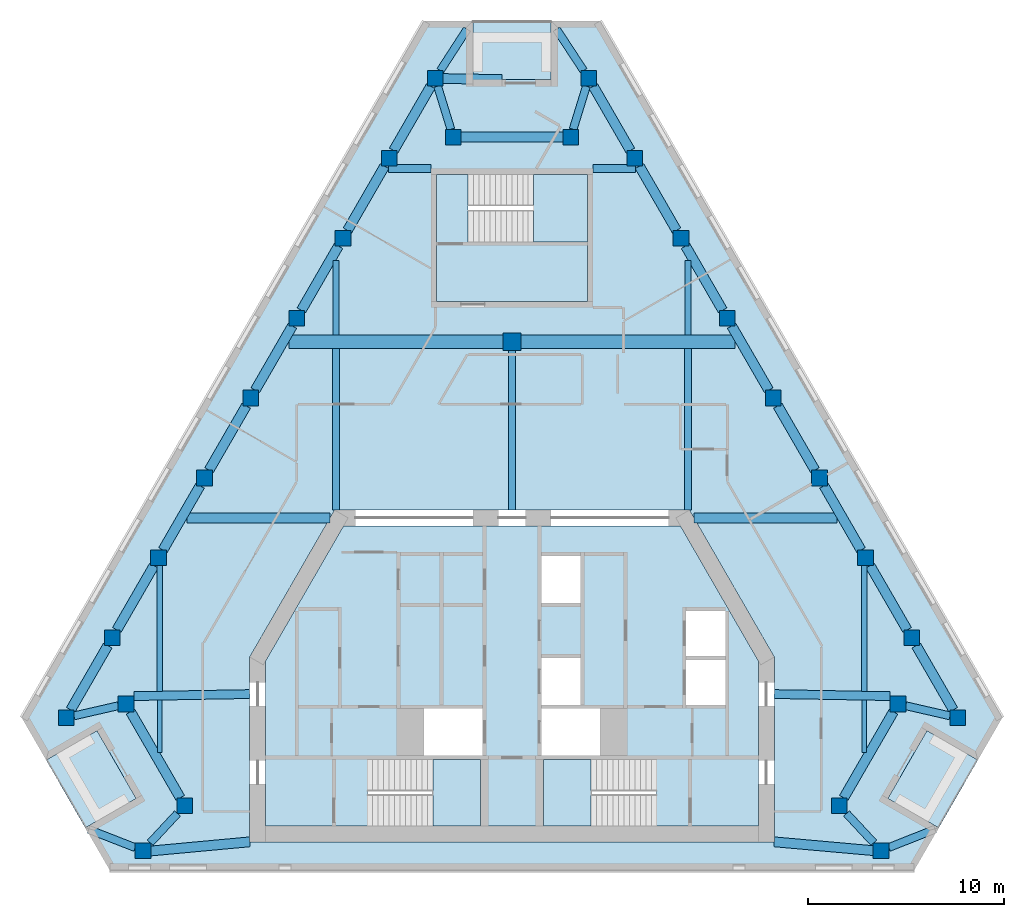
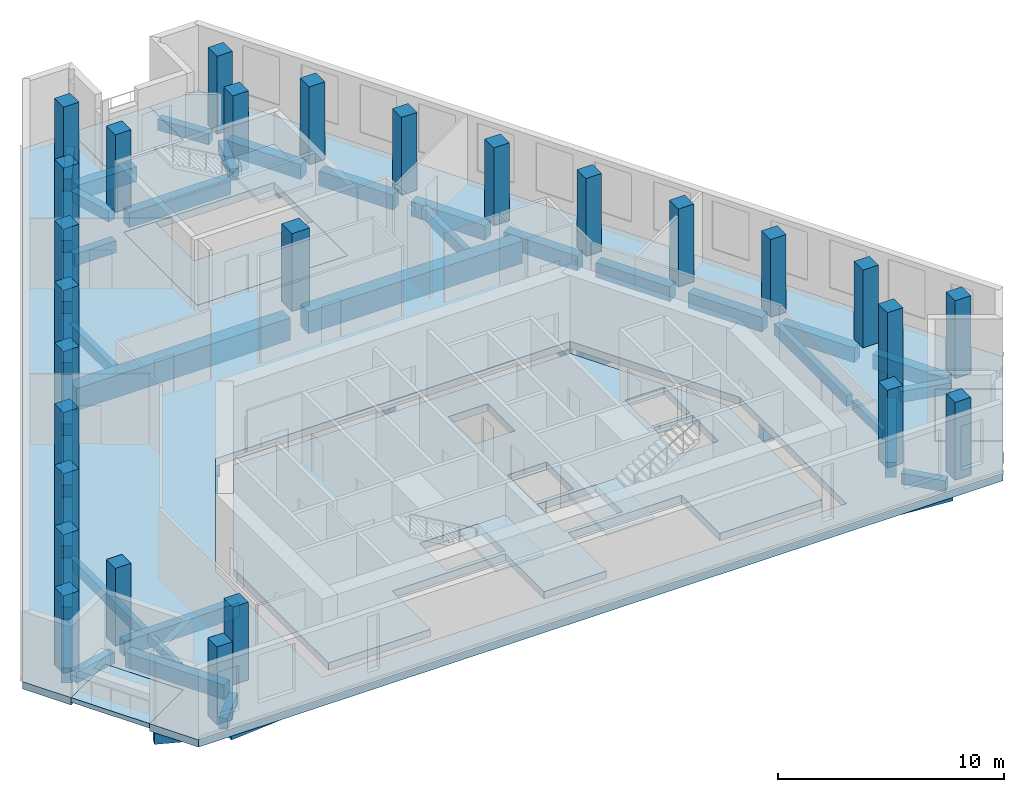
# One storey, part 1 of 8: 49 beams, 27 columns, 9 slabs, 3 elements without a shape of their own.
"""IFC4 building model written with IfcOpenShell, lengths in metres."""

from ifc_helpers import new_model, si_unit, direction, frame, origin, origin_2d, place, context, subcontext, project, spatial, polyline, rectangle, outline, extrude, material, layer, layer_set, material_profile, profile_set, type_object, element, aggregate, save


model = new_model("IFC4")

# Units and contexts
model_context = context("Model", 3, precision=1e-05, world=origin(), true_north=direction((0.0, 1.0)))
body_context = subcontext(model_context, "Body", "Model", "MODEL_VIEW")
ifc_project = project(units=[si_unit("LENGTHUNIT", "METRE"), si_unit("AREAUNIT", "SQUARE_METRE"), si_unit("VOLUMEUNIT", "CUBIC_METRE"), si_unit("PLANEANGLEUNIT", "RADIAN"), si_unit("MASSUNIT", "GRAM", prefix="KILO")], contexts=[model_context])

# Site, building, storey
site_placement = place(None, origin())
site = spatial("IfcSite", under=ifc_project, at=site_placement, CompositionType="ELEMENT")
building_placement = place(site_placement, origin())
building = spatial("IfcBuilding", under=site, at=building_placement, Name="Fogline Exchange Tower", CompositionType="ELEMENT")
storey_placement = place(building_placement, frame((0.0, 0.0, 300.300048828125)))
storey = spatial("IfcBuildingStorey", under=building, at=storey_placement, Name="L68", CompositionType="ELEMENT", Elevation=300.300048828125)

# Columns
ifc_material_1 = material(Name="Concrete C60", Category="concrete")
ifc_material_profile_1 = material_profile(ifc_material_1, rectangle(XDim=0.89990234375, YDim=0.89990234375, at=origin_2d()), Name="RC 900x900")
ifc_profile_set_1 = profile_set([ifc_material_profile_1], Name="Concrete C60")
column_type_1 = type_object("IfcColumnType", Name="C06", PredefinedType="COLUMN", material=ifc_profile_set_1)
column_placement = place(storey_placement, frame((0.0, 27.0, 0.0), z_axis=(0.0, 0.0, 1.0), x_axis=(1.0, 0.0, 0.0)))
element("IfcColumn", 1, at=column_placement, inside=storey, type_object=column_type_1, Name="IC-0-27", PredefinedType="COLUMN", context=body_context, shape_type="SweptSolid", body=[
    extrude(rectangle(XDim=0.89990234375, YDim=0.89990234375, at=origin_2d()), origin(), (0.0, 0.0, 1.0), 4.199951171875),
])
ifc_material_profile_2 = material_profile(ifc_material_1, rectangle(XDim=0.800048828125, YDim=0.800048828125, at=origin_2d()), Name="RC 800x800")
ifc_profile_set_2 = profile_set([ifc_material_profile_2], Name="Concrete C60")
column_type_2 = type_object("IfcColumnType", Name="C07", PredefinedType="COLUMN", material=ifc_profile_set_2)
for number, where, z_axis, x_axis, name in (
    (2, (-22.7802734375, 7.794189453125, 0.0), (0.0, 0.0, 1.0), (1.0, 0.0, 0.0), "SW-a"),
    (3, (-19.720947265625, 8.4951171875, 0.0), (0.0, 0.0, 1.0), (1.0, 0.0, 0.0), "SW-p4"),
    (4, (-16.720947265625, 3.299072265625, 0.0), (0.0, 0.0, 1.0), (1.0, 0.0, 0.0), "SW-p3"),
    (5, (-18.857666015625, 1.0, 0.0), (0.0, 0.0, 1.0), (1.0, 0.0, 0.0), "SW-b"),
    (6, (18.857666015625, 1.0, 0.0), (0.0, 0.0, 1.0), (1.0, 0.0, 0.0), "SE-a"),
    (7, (16.720947265625, 3.299072265625, 0.0), (0.0, 0.0, 1.0), (1.0, 0.0, 0.0), "SE-p4"),
    (8, (19.720947265625, 8.4951171875, 0.0), (0.0, 0.0, 1.0), (1.0, 0.0, 0.0), "SE-p3"),
    (9, (22.7802734375, 7.794189453125, 0.0), (0.0, 0.0, 1.0), (1.0, 0.0, 0.0), "SE-b"),
    (10, (20.423095703125, 11.876953125, 0.0), (0.0, 0.0, 1.0), (1.0, 0.0, 0.0), "E1"),
    (11, (18.06591796875, 15.959716796875, 0.0), (0.0, 0.0, 1.0), (1.0, 0.0, 0.0), "E2"),
    (12, (15.708740234375, 20.04248046875, 0.0), (0.0, 0.0, 1.0), (1.0, 0.0, 0.0), "E3"),
    (13, (13.3515625, 24.12548828125, 0.0), (0.0, 0.0, 1.0), (1.0, 0.0, 0.0), "E4"),
    (14, (10.994384765625, 28.208251953125, 0.0), (0.0, 0.0, 1.0), (1.0, 0.0, 0.0), "E5"),
    (15, (8.63720703125, 32.291015625, 0.0), (0.0, 0.0, 1.0), (1.0, 0.0, 0.0), "E6"),
    (16, (6.27978515625, 36.373779296875, 0.0), (0.0, 0.0, 1.0), (1.0, 0.0, 0.0), "E7"),
    (17, (3.922607421875, 40.456787109375, 0.0), (0.0, 0.0, 1.0), (1.0, 0.0, 0.0), "N-a"),
    (18, (3.0, 37.456787109375, 0.0), (0.0, 0.0, 1.0), (1.0, 0.0, 0.0), "N-p4"),
    (19, (-3.0, 37.456787109375, 0.0), (0.0, 0.0, 1.0), (1.0, 0.0, 0.0), "N-p3"),
    (20, (-3.922607421875, 40.456787109375, 0.0), (0.0, 0.0, 1.0), (1.0, 0.0, 0.0), "N-b"),
    (21, (-6.27978515625, 36.373779296875, 0.0), (0.0, 0.0, 1.0), (1.0, 0.0, 0.0), "W1"),
    (22, (-8.63720703125, 32.291015625, 0.0), (0.0, 0.0, 1.0), (1.0, 0.0, 0.0), "W2"),
    (23, (-10.994384765625, 28.208251953125, 0.0), (0.0, 0.0, 1.0), (1.0, 0.0, 0.0), "W3"),
    (24, (-13.3515625, 24.12548828125, 0.0), (0.0, 0.0, 1.0), (1.0, 0.0, 0.0), "W4"),
    (25, (-15.708740234375, 20.04248046875, 0.0), (0.0, 0.0, 1.0), (1.0, 0.0, 0.0), "W5"),
    (26, (-18.06591796875, 15.959716796875, 0.0), (0.0, 0.0, 1.0), (1.0, 0.0, 0.0), "W6"),
    (27, (-20.423095703125, 11.876953125, 0.0), (0.0, 0.0, 1.0), (1.0, 0.0, 0.0), "W7"),
):
    element("IfcColumn", number, at=place(storey_placement, frame(where, z_axis=z_axis, x_axis=x_axis)), inside=storey, type_object=column_type_2, Name=name, PredefinedType="COLUMN", context=body_context, shape_type="SweptSolid", body=[
        extrude(rectangle(XDim=0.800048828125, YDim=0.800048828125, at=origin_2d()), origin(), (0.0, 0.0, 1.0), 4.199951171875),
    ])

# Beams
ifc_material_2 = material(Name="Concrete C40", Category="concrete")
ifc_material_profile_3 = material_profile(ifc_material_2, rectangle(XDim=0.300048828125, YDim=0.60009765625, at=origin_2d()), Name="RC 300x600")
ifc_profile_set_3 = profile_set([ifc_material_profile_3], Name="Concrete C40")
beam_type_1 = type_object("IfcBeamType", Name="B06", PredefinedType="BEAM", material=ifc_profile_set_3)
beam_1_placement = place(storey_placement, frame((-18.0, 9.1435546875, -0.699951171875), z_axis=(0.0, 1.0, 0.0), x_axis=(-1.0, 0.0, 0.0)))
element("IfcBeam", 28, at=beam_1_placement, inside=storey, type_object=beam_type_1, Name="SB002", PredefinedType="BEAM", context=body_context, shape_type="SweptSolid", body=[
    extrude(rectangle(XDim=0.300048828125, YDim=0.60009765625, at=origin_2d()), origin(), (0.0, 0.0, 1.0), 6.416259765625),
])
for number, where, z_axis, x_axis, name in (
    (29, (-9.0, 27.35009765625, -0.699951171875), (0.0, 1.0, 0.0), (-1.0, 0.0, 0.0), "SB004"),
    (30, (9.0, 27.35009765625, -0.699951171875), (0.0, 1.0, 0.0), (-1.0, 0.0, 0.0), "SB007"),
):
    element("IfcBeam", number, at=place(storey_placement, frame(where, z_axis=z_axis, x_axis=x_axis)), inside=storey, type_object=beam_type_1, Name=name, PredefinedType="BEAM", context=body_context, shape_type="SweptSolid", body=[
        extrude(rectangle(XDim=0.300048828125, YDim=0.60009765625, at=origin_2d()), origin(), (0.0, 0.0, 1.0), 3.812255859375),
    ])
beam_2_placement = place(storey_placement, frame((18.0, 9.1435546875, -0.699951171875), z_axis=(0.0, 1.0, 0.0), x_axis=(-1.0, 0.0, 0.0)))
element("IfcBeam", 31, at=beam_2_placement, inside=storey, type_object=beam_type_1, Name="SB009", PredefinedType="BEAM", context=body_context, shape_type="SweptSolid", body=[
    extrude(rectangle(XDim=0.300048828125, YDim=0.60009765625, at=origin_2d()), origin(), (0.0, 0.0, 1.0), 6.416259765625),
])
ifc_material_profile_4 = material_profile(ifc_material_2, rectangle(XDim=0.25, YDim=0.5, at=origin_2d()), Name="RC 250x500")
ifc_profile_set_4 = profile_set([ifc_material_profile_4], Name="Concrete C40")
beam_type_2 = type_object("IfcBeamType", Name="B08", PredefinedType="BEAM", material=ifc_profile_set_4)
for number, where, z_axis, x_axis, name in (
    (32, (-18.0, 6.014404296875, -0.650146484375), (0.0, 1.0, 0.0), (-1.0, 0.0, 0.0), "SB001"),
    (33, (18.0, 6.014404296875, -0.650146484375), (0.0, 1.0, 0.0), (-1.0, 0.0, 0.0), "SB008"),
):
    element("IfcBeam", number, at=place(storey_placement, frame(where, z_axis=z_axis, x_axis=x_axis)), inside=storey, type_object=beam_type_2, Name=name, PredefinedType="BEAM", context=body_context, shape_type="SweptSolid", body=[
        extrude(rectangle(XDim=0.25, YDim=0.5, at=origin_2d()), origin(), (0.0, 0.0, 1.0), 2.67919921875),
    ])
ifc_material_profile_5 = material_profile(ifc_material_2, rectangle(XDim=0.5, YDim=0.800048828125, at=origin_2d()), Name="RC 500x800")
ifc_profile_set_5 = profile_set([ifc_material_profile_5], Name="Concrete C40")
beam_type_3 = type_object("IfcBeamType", Name="B10", PredefinedType="BEAM", material=ifc_profile_set_5)
beam_3_placement = place(storey_placement, frame((-19.489990234375, 8.09521484375, -0.800048828125), z_axis=(0.499987508774, -0.866032615477, 0.0), x_axis=(0.866032615477, 0.499987508774, 0.0)))
element("IfcBeam", 34, at=beam_3_placement, inside=storey, type_object=beam_type_3, Name="RB002", PredefinedType="BEAM", context=body_context, shape_type="SweptSolid", body=[
    extrude(rectangle(XDim=0.5, YDim=0.800048828125, at=origin_2d()), origin(), (0.0, 0.0, 1.0), 5.076416015625),
])
beam_4_placement = place(storey_placement, frame((-18.457763671875, 0.981689453125, -0.800048828125), z_axis=(0.995741736268, 0.092186737952, 0.0), x_axis=(-0.092186737952, 0.995741736268, 0.0)))
element("IfcBeam", 35, at=beam_4_placement, inside=storey, type_object=beam_type_3, Name="RB004", PredefinedType="BEAM", context=body_context, shape_type="SweptSolid", body=[
    extrude(rectangle(XDim=0.5, YDim=0.800048828125, at=origin_2d()), origin(), (0.0, 0.0, 1.0), 5.07958984375),
])
beam_5_placement = place(storey_placement, frame((13.39990234375, 1.449951171875, -0.800048828125), z_axis=(0.996066324908, -0.088610814153, 0.0), x_axis=(0.088610814153, 0.996066324908, 0.0)))
element("IfcBeam", 36, at=beam_5_placement, inside=storey, type_object=beam_type_3, Name="RB005", PredefinedType="BEAM", context=body_context, shape_type="SweptSolid", body=[
    extrude(rectangle(XDim=0.5, YDim=0.800048828125, at=origin_2d()), origin(), (0.0, 0.0, 1.0), 5.077880859375),
])
beam_6_placement = place(storey_placement, frame((16.951904296875, 3.698974609375, -0.800048828125), z_axis=(0.499987508774, 0.866032615477, 0.0), x_axis=(-0.866032615477, 0.499987508774, 0.0)))
element("IfcBeam", 37, at=beam_6_placement, inside=storey, type_object=beam_type_3, Name="RB007", PredefinedType="BEAM", context=body_context, shape_type="SweptSolid", body=[
    extrude(rectangle(XDim=0.5, YDim=0.800048828125, at=origin_2d()), origin(), (0.0, 0.0, 1.0), 5.076416015625),
])
beam_7_placement = place(storey_placement, frame((22.54931640625, 8.194091796875, -0.800048828125), z_axis=(-0.499969613651, 0.86604294664, 0.0), x_axis=(-0.86604294664, -0.499969613651, 0.0)))
element("IfcBeam", 38, at=beam_7_placement, inside=storey, type_object=beam_type_3, Name="RB009", PredefinedType="BEAM", context=body_context, shape_type="SweptSolid", body=[
    extrude(rectangle(XDim=0.5, YDim=0.800048828125, at=origin_2d()), origin(), (0.0, 0.0, 1.0), 3.790771484375),
])
for number, where, z_axis, x_axis, name in (
    (39, (20.192138671875, 12.277099609375, -0.800048828125), (-0.499997501644, 0.866026846206, 0.0), (-0.866026846206, -0.499997501644, 0.0), "RB010"),
    (40, (17.8349609375, 16.35986328125, -0.800048828125), (-0.499997501644, 0.866026846206, 0.0), (-0.866026846206, -0.499997501644, 0.0), "RB011"),
    (41, (15.477783203125, 20.442626953125, -0.800048828125), (-0.499997501644, 0.866026846206, 0.0), (-0.866026846206, -0.499997501644, 0.0), "RB012"),
):
    element("IfcBeam", number, at=place(storey_placement, frame(where, z_axis=z_axis, x_axis=x_axis)), inside=storey, type_object=beam_type_3, Name=name, PredefinedType="BEAM", context=body_context, shape_type="SweptSolid", body=[
        extrude(rectangle(XDim=0.5, YDim=0.800048828125, at=origin_2d()), origin(), (0.0, 0.0, 1.0), 3.79052734375),
    ])
for number, where, z_axis, x_axis, name in (
    (42, (13.12060546875, 24.525390625, -0.800048828125), (-0.500045805297, 0.865998956469, 0.0), (-0.865998956469, -0.500045805297, 0.0), "RB013"),
    (43, (10.76318359375, 28.608154296875, -0.800048828125), (-0.499969613651, 0.86604294664, 0.0), (-0.86604294664, -0.499969613651, 0.0), "RB014"),
    (44, (8.406005859375, 32.69091796875, -0.800048828125), (-0.499969613651, 0.86604294664, 0.0), (-0.86604294664, -0.499969613651, 0.0), "RB015"),
    (45, (6.048828125, 36.773681640625, -0.800048828125), (-0.499969613651, 0.86604294664, 0.0), (-0.86604294664, -0.499969613651, 0.0), "RB016"),
):
    element("IfcBeam", number, at=place(storey_placement, frame(where, z_axis=z_axis, x_axis=x_axis)), inside=storey, type_object=beam_type_3, Name=name, PredefinedType="BEAM", context=body_context, shape_type="SweptSolid", body=[
        extrude(rectangle(XDim=0.5, YDim=0.800048828125, at=origin_2d()), origin(), (0.0, 0.0, 1.0), 3.790771484375),
    ])
beam_8_placement = place(storey_placement, frame((2.60009765625, 37.456787109375, -0.800048828125), z_axis=(-1.0, 0.0, 0.0), x_axis=(0.0, -1.0, 0.0)))
element("IfcBeam", 46, at=beam_8_placement, inside=storey, type_object=beam_type_3, Name="RB018", PredefinedType="BEAM", context=body_context, shape_type="SweptSolid", body=[
    extrude(rectangle(XDim=0.5, YDim=0.800048828125, at=origin_2d()), origin(), (0.0, 0.0, 1.0), 5.2001953125),
])
for number, where, z_axis, x_axis, name in (
    (47, (-4.153564453125, 40.056640625, -0.800048828125), (-0.499969613651, -0.86604294664, 0.0), (0.86604294664, -0.499969613651, 0.0), "RB020"),
    (48, (-6.5107421875, 35.973876953125, -0.800048828125), (-0.499969613651, -0.86604294664, 0.0), (0.86604294664, -0.499969613651, 0.0), "RB021"),
    (49, (-8.867919921875, 31.89111328125, -0.800048828125), (-0.499969613651, -0.86604294664, 0.0), (0.86604294664, -0.499969613651, 0.0), "RB022"),
    (50, (-11.22509765625, 27.80810546875, -0.800048828125), (-0.500045805297, -0.865998956469, 0.0), (0.865998956469, -0.500045805297, 0.0), "RB023"),
):
    element("IfcBeam", number, at=place(storey_placement, frame(where, z_axis=z_axis, x_axis=x_axis)), inside=storey, type_object=beam_type_3, Name=name, PredefinedType="BEAM", context=body_context, shape_type="SweptSolid", body=[
        extrude(rectangle(XDim=0.5, YDim=0.800048828125, at=origin_2d()), origin(), (0.0, 0.0, 1.0), 3.790771484375),
    ])
for number, where, z_axis, x_axis, name in (
    (51, (-13.58251953125, 23.725341796875, -0.800048828125), (-0.499997501644, -0.866026846206, 0.0), (0.866026846206, -0.499997501644, 0.0), "RB024"),
    (52, (-15.939697265625, 19.642578125, -0.800048828125), (-0.499997501644, -0.866026846206, 0.0), (0.866026846206, -0.499997501644, 0.0), "RB025"),
    (53, (-18.296875, 15.559814453125, -0.800048828125), (-0.499997501644, -0.866026846206, 0.0), (0.866026846206, -0.499997501644, 0.0), "RB026"),
):
    element("IfcBeam", number, at=place(storey_placement, frame(where, z_axis=z_axis, x_axis=x_axis)), inside=storey, type_object=beam_type_3, Name=name, PredefinedType="BEAM", context=body_context, shape_type="SweptSolid", body=[
        extrude(rectangle(XDim=0.5, YDim=0.800048828125, at=origin_2d()), origin(), (0.0, 0.0, 1.0), 3.79052734375),
    ])
beam_9_placement = place(storey_placement, frame((-20.654052734375, 11.47705078125, -0.800048828125), z_axis=(-0.499969613651, -0.86604294664, 0.0), x_axis=(0.86604294664, -0.499969613651, 0.0)))
element("IfcBeam", 54, at=beam_9_placement, inside=storey, type_object=beam_type_3, Name="RB027", PredefinedType="BEAM", context=body_context, shape_type="SweptSolid", body=[
    extrude(rectangle(XDim=0.5, YDim=0.800048828125, at=origin_2d()), origin(), (0.0, 0.0, 1.0), 3.790771484375),
])
beam_10_placement = place(storey_placement, frame((-3.522705078125, 40.449951171875, -0.800048828125), z_axis=(0.999861680238, -0.016631908832, 0.0), x_axis=(0.016631908832, 0.999861680238, 0.0)))
element("IfcBeam", 55, at=beam_10_placement, inside=storey, type_object=beam_type_3, Name="SP032", PredefinedType="BEAM", context=body_context, shape_type="SweptSolid", body=[
    extrude(rectangle(XDim=0.5, YDim=0.800048828125, at=origin_2d()), origin(), (0.0, 0.0, 1.0), 3.00927734375),
])
ifc_material_profile_6 = material_profile(ifc_material_2, rectangle(XDim=0.39990234375, YDim=0.60009765625, at=origin_2d()), Name="RC 400x600")
ifc_profile_set_6 = profile_set([ifc_material_profile_6], Name="Concrete C40")
beam_type_4 = type_object("IfcBeamType", Name="B11", PredefinedType="BEAM", material=ifc_profile_set_6)
beam_11_placement = place(storey_placement, frame((-22.38037109375, 7.885986328125, -0.699951171875), z_axis=(0.974753812703, 0.223282342834, 0.0), x_axis=(-0.223282342834, 0.974753812703, 0.0)))
element("IfcBeam", 56, at=beam_11_placement, inside=storey, type_object=beam_type_4, Name="RB001", PredefinedType="BEAM", context=body_context, shape_type="SweptSolid", body=[
    extrude(rectangle(XDim=0.39990234375, YDim=0.60009765625, at=origin_2d()), origin(), (0.0, 0.0, 1.0), 2.318115234375),
])
for number, where, z_axis, x_axis, name in (
    (57, (-17.0927734375, 2.89892578125, -0.699951171875), (-0.680743909802, -0.732521487239, 0.0), (0.732521487239, -0.680743909802, 0.0), "RB003"),
    (58, (18.48583984375, 1.39990234375, -0.699951171875), (-0.680743909802, 0.732521487239, 0.0), (-0.732521487239, -0.680743909802, 0.0), "RB006"),
):
    element("IfcBeam", number, at=place(storey_placement, frame(where, z_axis=z_axis, x_axis=x_axis)), inside=storey, type_object=beam_type_4, Name=name, PredefinedType="BEAM", context=body_context, shape_type="SweptSolid", body=[
        extrude(rectangle(XDim=0.39990234375, YDim=0.60009765625, at=origin_2d()), origin(), (0.0, 0.0, 1.0), 2.04638671875),
    ])
beam_12_placement = place(storey_placement, frame((20.120849609375, 8.403564453125, -0.699951171875), z_axis=(0.974753812703, -0.223282342834, 0.0), x_axis=(0.223282342834, 0.974753812703, 0.0)))
element("IfcBeam", 59, at=beam_12_placement, inside=storey, type_object=beam_type_4, Name="RB008", PredefinedType="BEAM", context=body_context, shape_type="SweptSolid", body=[
    extrude(rectangle(XDim=0.39990234375, YDim=0.60009765625, at=origin_2d()), origin(), (0.0, 0.0, 1.0), 2.318115234375),
])
for number, where, z_axis, x_axis, name in (
    (60, (3.799560546875, 40.056640625, -0.699951171875), (-0.293929314998, -0.955827158949, 0.0), (0.955827158949, -0.293929314998, 0.0), "RB017"),
    (61, (-3.123046875, 37.856689453125, -0.699951171875), (-0.293929314998, 0.955827158949, 0.0), (-0.955827158949, -0.293929314998, 0.0), "RB019"),
):
    element("IfcBeam", number, at=place(storey_placement, frame(where, z_axis=z_axis, x_axis=x_axis)), inside=storey, type_object=beam_type_4, Name=name, PredefinedType="BEAM", context=body_context, shape_type="SweptSolid", body=[
        extrude(rectangle(XDim=0.39990234375, YDim=0.60009765625, at=origin_2d()), origin(), (0.0, 0.0, 1.0), 2.301513671875),
    ])
beam_13_placement = place(storey_placement, frame((3.66015625, 40.856689453125, -0.699951171875), z_axis=(-0.548529780457, 0.836131018413, 0.0), x_axis=(-0.836131018413, -0.548529780457, 0.0)))
element("IfcBeam", 62, at=beam_13_placement, inside=storey, type_object=beam_type_4, Name="SP028", PredefinedType="BEAM", context=body_context, shape_type="SweptSolid", body=[
    extrude(rectangle(XDim=0.39990234375, YDim=0.60009765625, at=origin_2d()), origin(), (0.0, 0.0, 1.0), 2.5263671875),
])
beam_14_placement = place(storey_placement, frame((-3.663818359375, 40.856689453125, -0.699951171875), z_axis=(0.543311543081, 0.839531159133, 0.0), x_axis=(-0.839531159133, 0.543311543081, 0.0)))
element("IfcBeam", 63, at=beam_14_placement, inside=storey, type_object=beam_type_4, Name="SP029", PredefinedType="BEAM", context=body_context, shape_type="SweptSolid", body=[
    extrude(rectangle(XDim=0.39990234375, YDim=0.60009765625, at=origin_2d()), origin(), (0.0, 0.0, 1.0), 2.51953125),
])
beam_15_placement = place(storey_placement, frame((19.2578125, 1.15869140625, -0.699951171875), z_axis=(0.929422622567, 0.369017057412, 0.0), x_axis=(-0.369017057412, 0.929422622567, 0.0)))
element("IfcBeam", 64, at=beam_15_placement, inside=storey, type_object=beam_type_4, Name="SP030", PredefinedType="BEAM", context=body_context, shape_type="SweptSolid", body=[
    extrude(rectangle(XDim=0.39990234375, YDim=0.60009765625, at=origin_2d()), origin(), (0.0, 0.0, 1.0), 2.537109375),
])
beam_16_placement = place(storey_placement, frame((-19.2578125, 1.156005859375, -0.699951171875), z_axis=(-0.931526239158, 0.363674120279, 0.0), x_axis=(-0.363674120279, -0.931526239158, 0.0)))
element("IfcBeam", 65, at=beam_16_placement, inside=storey, type_object=beam_type_4, Name="SP031", PredefinedType="BEAM", context=body_context, shape_type="SweptSolid", body=[
    extrude(rectangle(XDim=0.39990234375, YDim=0.60009765625, at=origin_2d()), origin(), (0.0, 0.0, 1.0), 2.5517578125),
])
ifc_material_profile_7 = material_profile(ifc_material_2, rectangle(XDim=0.39990234375, YDim=0.64990234375, at=origin_2d()), Name="RC 400x650")
ifc_profile_set_7 = profile_set([ifc_material_profile_7], Name="Concrete C40")
beam_type_5 = type_object("IfcBeamType", Name="B13", PredefinedType="BEAM", material=ifc_profile_set_7)
for number, where, z_axis, x_axis, name in (
    (66, (-6.308349609375, 35.85693359375, -0.72509765625), (1.0, 0.0, 0.0), (0.0, 1.0, 0.0), "GB007"),
    (67, (4.14990234375, 35.85693359375, -0.72509765625), (1.0, 0.0, 0.0), (0.0, 1.0, 0.0), "GB008"),
):
    element("IfcBeam", number, at=place(storey_placement, frame(where, z_axis=z_axis, x_axis=x_axis)), inside=storey, type_object=beam_type_5, Name=name, PredefinedType="BEAM", context=body_context, shape_type="SweptSolid", body=[
        extrude(rectangle(XDim=0.39990234375, YDim=0.64990234375, at=origin_2d()), origin(), (0.0, 0.0, 1.0), 2.158447265625),
    ])
ifc_material_profile_8 = material_profile(ifc_material_2, rectangle(XDim=0.5, YDim=0.949951171875, at=origin_2d()), Name="RC 500x950")
ifc_profile_set_8 = profile_set([ifc_material_profile_8], Name="Concrete C40")
beam_type_6 = type_object("IfcBeamType", Name="B14", PredefinedType="BEAM", material=ifc_profile_set_8)
for number, where, z_axis, x_axis, name in (
    (68, (-16.599365234375, 18.0, -0.875), (1.0, 0.0, 0.0), (0.0, 1.0, 0.0), "GB003"),
    (69, (9.296142578125, 18.0, -0.875), (1.0, 0.0, 0.0), (0.0, 1.0, 0.0), "GB004"),
):
    element("IfcBeam", number, at=place(storey_placement, frame(where, z_axis=z_axis, x_axis=x_axis)), inside=storey, type_object=beam_type_6, Name=name, PredefinedType="BEAM", context=body_context, shape_type="SweptSolid", body=[
        extrude(rectangle(XDim=0.5, YDim=0.949951171875, at=origin_2d()), origin(), (0.0, 0.0, 1.0), 7.30322265625),
    ])
ifc_material_profile_9 = material_profile(ifc_material_2, rectangle(XDim=0.35009765625, YDim=0.64990234375, at=origin_2d()), Name="RC 350x650")
ifc_profile_set_9 = profile_set([ifc_material_profile_9], Name="Concrete C40")
beam_type_7 = type_object("IfcBeamType", Name="B16", PredefinedType="BEAM", material=ifc_profile_set_9)
beam_17_placement = place(storey_placement, frame((-9.0, 18.39990234375, -0.72509765625), z_axis=(0.0, 1.0, 0.0), x_axis=(-1.0, 0.0, 0.0)))
element("IfcBeam", 70, at=beam_17_placement, inside=storey, type_object=beam_type_7, Name="SB003", PredefinedType="BEAM", context=body_context, shape_type="SweptSolid", body=[
    extrude(rectangle(XDim=0.35009765625, YDim=0.64990234375, at=origin_2d()), origin(), (0.0, 0.0, 1.0), 8.25),
])
beam_18_placement = place(storey_placement, frame((0.0, 18.39990234375, -0.72509765625), z_axis=(0.0, 1.0, 0.0), x_axis=(-1.0, 0.0, 0.0)))
element("IfcBeam", 71, at=beam_18_placement, inside=storey, type_object=beam_type_7, Name="SB005", PredefinedType="BEAM", context=body_context, shape_type="SweptSolid", body=[
    extrude(rectangle(XDim=0.35009765625, YDim=0.64990234375, at=origin_2d()), origin(), (0.0, 0.0, 1.0), 8.150146484375),
])
beam_19_placement = place(storey_placement, frame((9.0, 18.39990234375, -0.72509765625), z_axis=(0.0, 1.0, 0.0), x_axis=(-1.0, 0.0, 0.0)))
element("IfcBeam", 72, at=beam_19_placement, inside=storey, type_object=beam_type_7, Name="SB006", PredefinedType="BEAM", context=body_context, shape_type="SweptSolid", body=[
    extrude(rectangle(XDim=0.35009765625, YDim=0.64990234375, at=origin_2d()), origin(), (0.0, 0.0, 1.0), 8.25),
])
ifc_material_profile_10 = material_profile(ifc_material_2, rectangle(XDim=0.699951171875, YDim=1.199951171875, at=origin_2d()), Name="RC 700x1200")
ifc_profile_set_10 = profile_set([ifc_material_profile_10], Name="Concrete C40")
beam_type_8 = type_object("IfcBeamType", Name="B17", PredefinedType="BEAM", material=ifc_profile_set_10)
for number, where, z_axis, x_axis, name in (
    (73, (-11.4033203125, 27.0, -1.0), (1.0, 0.0, 0.0), (0.0, 1.0, 0.0), "GB005"),
    (74, (0.449951171875, 27.0, -1.0), (1.0, 0.0, 0.0), (0.0, 1.0, 0.0), "GB006"),
):
    element("IfcBeam", number, at=place(storey_placement, frame(where, z_axis=z_axis, x_axis=x_axis)), inside=storey, type_object=beam_type_8, Name=name, PredefinedType="BEAM", context=body_context, shape_type="SweptSolid", body=[
        extrude(rectangle(XDim=0.699951171875, YDim=1.199951171875, at=origin_2d()), origin(), (0.0, 0.0, 1.0), 10.953369140625),
    ])
ifc_material_profile_11 = material_profile(ifc_material_2, rectangle(XDim=0.449951171875, YDim=0.800048828125, at=origin_2d()), Name="RC 450x800")
ifc_profile_set_11 = profile_set([ifc_material_profile_11], Name="Concrete C40")
beam_type_9 = type_object("IfcBeamType", Name="B18", PredefinedType="BEAM", material=ifc_profile_set_11)
for number, where, z_axis, x_axis, name in (
    (75, (-19.32080078125, 8.895263671875, -0.800048828125), (0.9998435817, 0.017686495817, 0.0), (-0.017686495817, 0.9998435817, 0.0), "GB001"),
    (76, (13.39990234375, 9.0, -0.800048828125), (0.9998435817, -0.017686495817, 0.0), (0.017686495817, 0.9998435817, 0.0), "GB002"),
):
    element("IfcBeam", number, at=place(storey_placement, frame(where, z_axis=z_axis, x_axis=x_axis)), inside=storey, type_object=beam_type_9, Name=name, PredefinedType="BEAM", context=body_context, shape_type="SweptSolid", body=[
        extrude(rectangle(XDim=0.449951171875, YDim=0.800048828125, at=origin_2d()), origin(), (0.0, 0.0, 1.0), 5.921875),
    ])

# Slabs
ifc_layer_1 = layer(ifc_material_2, 0.25)
ifc_layer_set_1 = layer_set([ifc_layer_1], Name="DK1")
slab_type_1 = type_object("IfcSlabType", Name="DK1", PredefinedType="FLOOR", material=ifc_layer_set_1)
slab_1_placement = place(storey_placement, frame((0.0, 0.0, -0.25)))
element("IfcSlab", 77, at=slab_1_placement, inside=storey, type_object=slab_type_1, Name="Balcony L68 SW", PredefinedType="FLOOR", context=body_context, shape_type="SweptSolid", body=[
    extrude(outline(polyline([(-23.80224609375, 5.629150390625), (-21.80224609375, 2.1650390625), (-19.2041015625, 3.6650390625), (-21.2041015625, 7.129150390625), (-23.80224609375, 5.629150390625)])), origin(), (0.0, 0.0, 1.0), 0.25),
])
slab_2_placement = place(storey_placement, frame((0.0, 0.0, -0.25)))
element("IfcSlab", 78, at=slab_2_placement, inside=storey, type_object=slab_type_1, Name="Balcony L68 SE", PredefinedType="FLOOR", context=body_context, shape_type="SweptSolid", body=[
    extrude(outline(polyline([(21.80224609375, 2.1650390625), (23.80224609375, 5.629150390625), (21.2041015625, 7.129150390625), (19.2041015625, 3.6650390625), (21.80224609375, 2.1650390625)])), origin(), (0.0, 0.0, 1.0), 0.25),
])
slab_3_placement = place(storey_placement, frame((0.0, 0.0, -0.25)))
element("IfcSlab", 79, at=slab_3_placement, inside=storey, type_object=slab_type_1, Name="Balcony L68 N", PredefinedType="FLOOR", context=body_context, shape_type="SweptSolid", body=[
    extrude(outline(polyline([(2.0, 43.3916015625), (-2.0, 43.3916015625), (-2.0, 40.3916015625), (2.0, 40.3916015625), (2.0, 43.3916015625)])), origin(), (0.0, 0.0, 1.0), 0.25),
])
ifc_layer_2 = layer(ifc_material_2, 0.39990234375)
ifc_layer_set_2 = layer_set([ifc_layer_2], Name="S03")
slab_type_2 = type_object("IfcSlabType", Name="S03", PredefinedType="FLOOR", material=ifc_layer_set_2)
slab_4_placement = place(storey_placement, frame((0.0, 0.0, -0.400146484375)))
element("IfcSlab", 80, at=slab_4_placement, inside=storey, type_object=slab_type_2, Name="SLAB L68", PredefinedType="FLOOR", context=body_context, shape_type="SweptSolid", body=[
    extrude(outline(polyline([(-2.0, 43.3916015625), (-4.5, 43.3916015625), (-25.05224609375, 7.794189453125), (-23.80224609375, 5.629150390625), (-21.2041015625, 7.129150390625), (-19.2041015625, 3.6650390625), (-21.80224609375, 2.1650390625), (-20.55224609375, 0.0), (20.55224609375, 0.0), (21.80224609375, 2.1650390625), (19.2041015625, 3.6650390625), (21.2041015625, 7.129150390625), (23.80224609375, 5.629150390625), (25.05224609375, 7.794189453125), (4.5, 43.3916015625), (2.0, 43.3916015625), (2.0, 40.3916015625), (-2.0, 40.3916015625), (-2.0, 43.3916015625)]), holes=[polyline([(13.39990234375, 10.891845703125), (13.39990234375, 1.449951171875), (-13.39990234375, 1.449951171875), (-13.39990234375, 10.891845703125), (-9.065185546875, 18.39990234375), (9.065185546875, 18.39990234375), (13.39990234375, 10.891845703125)]), polyline([(3.85009765625, 35.556884765625), (3.85009765625, 29.056884765625), (-3.85009765625, 29.056884765625), (-3.85009765625, 35.556884765625), (3.85009765625, 35.556884765625)])]), origin(), (0.0, 0.0, 1.0), 0.400146484375),
])
slab_5_placement = place(storey_placement, frame((0.0, 0.0, -0.400146484375)))
element("IfcSlab", 81, at=slab_5_placement, inside=storey, type_object=slab_type_2, Name="Core floor slab", PredefinedType="FLOOR", context=body_context, shape_type="SweptSolid", body=[
    extrude(outline(polyline([(-12.60009765625, 2.25), (-12.60009765625, 10.677490234375), (-8.603271484375, 17.60009765625), (8.603271484375, 17.60009765625), (12.60009765625, 10.677490234375), (12.60009765625, 2.25), (7.389892578125, 2.25), (7.389892578125, 5.64990234375), (1.60009765625, 5.64990234375), (1.60009765625, 2.25), (-1.60009765625, 2.25), (-1.60009765625, 5.64990234375), (-7.389892578125, 5.64990234375), (-7.389892578125, 2.25), (-12.60009765625, 2.25)]), holes=[polyline([(-4.5, 8.25), (-4.5, 5.85009765625), (-1.5, 5.85009765625), (-1.5, 8.25), (-4.5, 8.25)]), polyline([(1.5, 8.25), (1.5, 5.85009765625), (4.5, 5.85009765625), (4.5, 8.25), (1.5, 8.25)]), polyline([(8.89990234375, 10.75), (8.89990234375, 8.449951171875), (10.89990234375, 8.449951171875), (10.89990234375, 10.75), (8.89990234375, 10.75)]), polyline([(1.5, 10.85009765625), (1.5, 8.449951171875), (3.5, 8.449951171875), (3.5, 10.85009765625), (1.5, 10.85009765625)]), polyline([(8.89990234375, 13.25), (8.89990234375, 10.949951171875), (10.89990234375, 10.949951171875), (10.89990234375, 13.25), (8.89990234375, 13.25)]), polyline([(1.5, 16.050048828125), (1.5, 13.64990234375), (3.5, 13.64990234375), (3.5, 16.050048828125), (1.5, 16.050048828125)])]), origin(), (0.0, 0.0, 1.0), 0.400146484375),
])
slab_6_placement = place(storey_placement, frame((0.0, 0.0, -0.400146484375)))
element("IfcSlab", 82, at=slab_6_placement, inside=storey, type_object=slab_type_2, Name="Stair enclosure floor slab", PredefinedType="FLOOR", context=body_context, shape_type="SweptSolid", body=[
    extrude(outline(polyline([(3.85009765625, 29.056884765625), (-3.85009765625, 29.056884765625), (-3.85009765625, 35.556884765625), (-2.239990234375, 35.556884765625), (-2.239990234375, 32.10693359375), (3.85009765625, 32.10693359375), (3.85009765625, 29.056884765625)])), origin(), (0.0, 0.0, 1.0), 0.400146484375),
])

# Stair, slab
stair_type = type_object("IfcStairType", Name="STR26-1615", PredefinedType="HALF_TURN_STAIR", material=ifc_material_2)
stair_1_placement = place(storey_placement, origin())
stair_1 = element("IfcStair", 83, at=stair_1_placement, inside=storey, type_object=stair_type, Name="Stair ST1", PredefinedType="HALF_TURN_STAIR")
ifc_layer_3 = layer(ifc_material_2, 0.199951171875)
ifc_layer_set_3 = layer_set([ifc_layer_3], Name="SL200")
slab_type_3 = type_object("IfcSlabType", Name="SL200", PredefinedType="LANDING", material=ifc_layer_set_3)
slab_7_placement = place(storey_placement, frame((0.0, 0.0, 1.89990234375)))
slab_7 = element("IfcSlab", 84, at=slab_7_placement, type_object=slab_type_3, Name="ST1 landing 1", PredefinedType="LANDING", context=body_context, shape_type="SweptSolid", body=[
    extrude(outline(polyline([(-4.0400390625, 2.25), (-1.60009765625, 2.25), (-1.60009765625, 5.64990234375), (-4.0400390625, 5.64990234375), (-4.0400390625, 2.25)])), origin(), (0.0, 0.0, 1.0), 0.199951171875),
])
aggregate(stair_1, [slab_7])

stair_2_placement = place(storey_placement, origin())
stair_2 = element("IfcStair", 85, at=stair_2_placement, inside=storey, type_object=stair_type, Name="Stair ST2", PredefinedType="HALF_TURN_STAIR")
slab_8_placement = place(storey_placement, frame((0.0, 0.0, 1.89990234375)))
slab_8 = element("IfcSlab", 86, at=slab_8_placement, type_object=slab_type_3, Name="ST2 landing 1", PredefinedType="LANDING", context=body_context, shape_type="SweptSolid", body=[
    extrude(outline(polyline([(1.60009765625, 2.25), (4.0400390625, 2.25), (4.0400390625, 5.64990234375), (1.60009765625, 5.64990234375), (1.60009765625, 2.25)])), origin(), (0.0, 0.0, 1.0), 0.199951171875),
])
aggregate(stair_2, [slab_8])

stair_3_placement = place(storey_placement, origin())
stair_3 = element("IfcStair", 87, at=stair_3_placement, inside=storey, type_object=stair_type, Name="Stair ST3", PredefinedType="HALF_TURN_STAIR")
slab_9_placement = place(storey_placement, frame((0.0, 0.0, 1.89990234375)))
slab_9 = element("IfcSlab", 88, at=slab_9_placement, type_object=slab_type_3, Name="ST3 landing 1", PredefinedType="LANDING", context=body_context, shape_type="SweptSolid", body=[
    extrude(outline(polyline([(1.110107421875, 32.10693359375), (3.85009765625, 32.10693359375), (3.85009765625, 35.556884765625), (1.110107421875, 35.556884765625), (1.110107421875, 32.10693359375)])), origin(), (0.0, 0.0, 1.0), 0.199951171875),
])
aggregate(stair_3, [slab_9])

save(model, "model.ifc")
